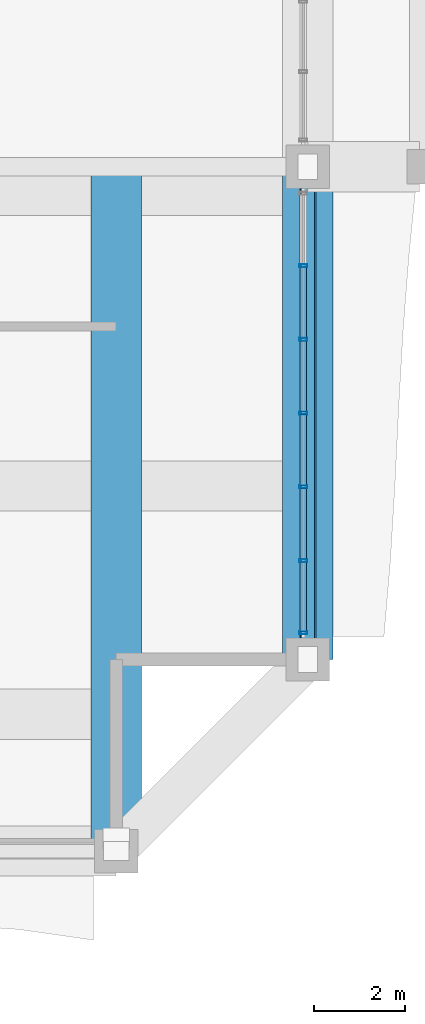
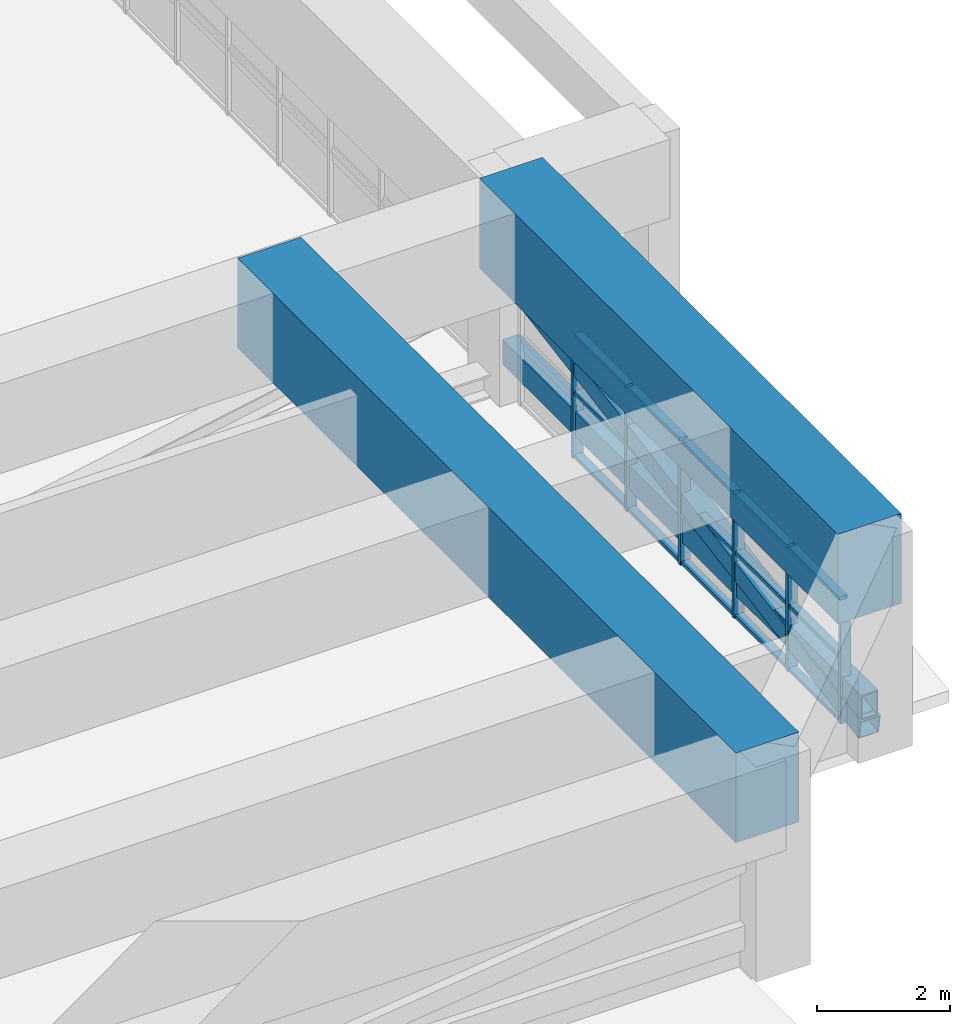
# One storey, part 13 of 35: 23 members, 2 beams, 1 element without a shape of its own.
"""IFC4 building model written with IfcOpenShell, lengths in metres."""

from ifc_helpers import new_model, si_unit, direction, frame, origin, origin_2d, place, context, subcontext, project, spatial, rectangle, hollow_rectangle, extrude, source, transform, mapped, material, layer, layer_set, material_profile, profile_set, type_object, element, aggregate, save


model = new_model("IFC4")

# Units and contexts
model_context = context("Model", 3, precision=1e-05, world=origin(), true_north=direction((0.0, 1.0)))
body_context = subcontext(model_context, "Body", "Model", "MODEL_VIEW")
ifc_project = project(units=[si_unit("LENGTHUNIT", "METRE"), si_unit("AREAUNIT", "SQUARE_METRE"), si_unit("VOLUMEUNIT", "CUBIC_METRE"), si_unit("PLANEANGLEUNIT", "RADIAN"), si_unit("MASSUNIT", "GRAM", prefix="KILO")], contexts=[model_context])

# Site, building, storey
site_placement = place(None, origin())
site = spatial("IfcSite", under=ifc_project, at=site_placement, CompositionType="ELEMENT")
building_placement = place(site_placement, origin())
building = spatial("IfcBuilding", under=site, at=building_placement, Name="Saelheon Loggia Tower", CompositionType="ELEMENT")
storey_placement = place(building_placement, frame((0.0, 0.0, 144.75)))
storey = spatial("IfcBuildingStorey", under=building, at=storey_placement, Name="L46", CompositionType="ELEMENT", Elevation=144.75)

# Beams
ifc_material_1 = material(Name="Concrete C50/60", Category="concrete")
ifc_material_profile_1 = material_profile(ifc_material_1, rectangle(XDim=1.10009765625, YDim=1.64990234375, at=origin_2d()), Name="RC-1100x1650")
ifc_profile_set_1 = profile_set([ifc_material_profile_1], Name="Concrete C50/60")
beam_type_1 = type_object("IfcBeamType", Name="Beam_PerimMega_RC1100x1650", PredefinedType="BEAM", material=ifc_profile_set_1)
shared_shape_1 = source(origin(), body_context, "Body", "SweptSolid", [
    extrude(rectangle(XDim=1.10009765625, YDim=1.64990234375, at=origin_2d()), origin(), (0.0, 0.0, 1.0), 10.800048828125),
])
beam_1_placement = place(storey_placement, frame((64.0, 7.199951171875, 3.125), z_axis=(0.0, 1.0, 0.0), x_axis=(-1.0, 0.0, 0.0)))
element("IfcBeam", 1, at=beam_1_placement, inside=storey, type_object=beam_type_1, Name="L46 Perimeter Frame Girder 05", PredefinedType="BEAM", context=body_context, shape_type="MappedRepresentation", body=[
    mapped(shared_shape_1, transform((0.0, 0.0, 0.0), scale=1.0)),
])
ifc_material_profile_2 = material_profile(ifc_material_1, rectangle(XDim=1.10009765625, YDim=1.64990234375, at=origin_2d()), Name="RC-1100x1650")
ifc_profile_set_2 = profile_set([ifc_material_profile_2], Name="Concrete C50/60")
beam_type_2 = type_object("IfcBeamType", Name="Beam_MegaTransfer_RC1100x1650", PredefinedType="BEAM", material=ifc_profile_set_2)
shared_shape_2 = source(origin(), body_context, "Body", "SweptSolid", [
    extrude(rectangle(XDim=1.10009765625, YDim=1.64990234375, at=origin_2d()), origin(), (0.0, 0.0, 1.0), 15.0),
])
beam_2_placement = place(storey_placement, frame((59.800048828125, 3.0, 3.125), z_axis=(0.0, 1.0, 0.0), x_axis=(-1.0, 0.0, 0.0)))
element("IfcBeam", 2, at=beam_2_placement, inside=storey, type_object=beam_type_2, Name="TG-L46-NL-SE", PredefinedType="BEAM", context=body_context, shape_type="MappedRepresentation", body=[
    mapped(shared_shape_2, transform((0.0, 0.0, 0.0), scale=1.0)),
])

# Members
ifc_material_2 = material(Name="Steel SM355", Category="steel")
ifc_material_profile_3 = material_profile(ifc_material_2, hollow_rectangle(XDim=0.300048828125, YDim=0.449951171875, WallThickness=0.02001953125, at=origin_2d()), Name="RHS-450x300x20")
ifc_profile_set_3 = profile_set([ifc_material_profile_3], Name="Steel SM355")
member_type_1 = type_object("IfcMemberType", Name="Belt_Chord_RHS450", PredefinedType="CHORD", material=ifc_profile_set_3)
shared_shape_3 = source(origin(), body_context, "Body", "SweptSolid", [
    extrude(hollow_rectangle(XDim=0.300048828125, YDim=0.449951171875, WallThickness=0.02001953125, at=origin_2d()), origin(), (0.0, 0.0, 1.0), 10.800048828125),
])
member_1_placement = place(storey_placement, frame((64.0, 7.199951171875, 0.6201171875), z_axis=(0.0, 1.0, 0.0), x_axis=(-1.0, 0.0, 0.0)))
element("IfcMember", 3, at=member_1_placement, inside=storey, type_object=member_type_1, Name="L46 Belt Truss Chord BE1", PredefinedType="CHORD", context=body_context, shape_type="MappedRepresentation", body=[
    mapped(shared_shape_3, transform((0.0, 0.0, 0.0), scale=1.0)),
])
ifc_material_profile_4 = material_profile(ifc_material_2, hollow_rectangle(XDim=0.35009765625, YDim=0.35009765625, WallThickness=0.01611328125, at=origin_2d()), Name="RHS-350x350x16")
ifc_profile_set_4 = profile_set([ifc_material_profile_4], Name="Steel SM355")
member_type_2 = type_object("IfcMemberType", Name="Belt_Brace_RHS350", PredefinedType="BRACE", material=ifc_profile_set_4)
shared_shape_4 = source(origin(), body_context, "Body", "SweptSolid", [
    extrude(hollow_rectangle(XDim=0.35009765625, YDim=0.35009765625, WallThickness=0.01611328125, at=origin_2d()), origin(), (0.0, 0.0, 1.0), 10.957275390625),
])
member_2_placement = place(storey_placement, frame((64.0, 7.199951171875, 0.219970703125), z_axis=(0.0, 0.985642602665, 0.168845076361), x_axis=(-1.0, 0.0, 0.0)))
element("IfcMember", 4, at=member_2_placement, inside=storey, type_object=member_type_2, Name="L46 Belt Truss Brace BE1", PredefinedType="BRACE", context=body_context, shape_type="MappedRepresentation", body=[
    mapped(shared_shape_4, transform((0.0, 0.0, 0.0), scale=1.0)),
])

# Curtain wall, members
ifc_material_3 = material(Name="Anodised Aluminium Acoustic Louvre Curtain Wall", Category="aluminium")
ifc_layer = layer(ifc_material_3, 0.179931640625)
ifc_layer_set = layer_set([ifc_layer], Name="Anodised Aluminium Acoustic Louvre Curtain Wall")
curtain_wall_type = type_object("IfcCurtainWallType", Name="CW_RefugeAcoustic", PredefinedType="NOTDEFINED", material=ifc_layer_set)
curtain_wall_placement = place(storey_placement, origin())
curtain_wall = element("IfcCurtainWall", 5, at=curtain_wall_placement, inside=storey, type_object=curtain_wall_type, Name="L46 E Refuge Acoustic Curtain Wall 1", PredefinedType="NOTDEFINED")
ifc_material_4 = material(Name="Anodised Aluminium 6063-T6", Category="aluminium")
ifc_material_profile_5 = material_profile(ifc_material_4, hollow_rectangle(XDim=0.06494140625, YDim=0.179931640625, WallThickness=0.00390625, at=origin_2d()), Name="RHS-180x65x4")
ifc_profile_set_5 = profile_set([ifc_material_profile_5], Name="Anodised Aluminium 6063-T6")
member_type_3 = type_object("IfcMemberType", Name="CW_RefugeAcoustic_Mullion", PredefinedType="MULLION", material=ifc_profile_set_5)
shared_shape_5 = source(origin(), body_context, "Body", "SweptSolid", [
    extrude(hollow_rectangle(XDim=0.06494140625, YDim=0.179931640625, WallThickness=0.00390625, at=origin_2d()), origin(), (0.0, 0.0, 1.0), 2.2900390625),
])
member_3_placement = place(storey_placement, frame((63.89990234375, 7.782470703125, 0.0), z_axis=(0.0, 0.0, 1.0), x_axis=(0.0, 1.0, 0.0)))
member_3 = element("IfcMember", 6, at=member_3_placement, type_object=member_type_3, Name="CW5 mullion 1", PredefinedType="MULLION", context=body_context, shape_type="MappedRepresentation", body=[
    mapped(shared_shape_5, transform((0.0, 0.0, 0.0), scale=1.0)),
])
member_4_placement = place(storey_placement, frame((63.89990234375, 9.36669921875, 0.0), z_axis=(0.0, 0.0, 1.0), x_axis=(0.0, 1.0, 0.0)))
member_4 = element("IfcMember", 7, at=member_4_placement, type_object=member_type_3, Name="CW5 mullion 2", PredefinedType="MULLION", context=body_context, shape_type="MappedRepresentation", body=[
    mapped(shared_shape_5, transform((0.0, 0.0, 0.0), scale=1.0)),
])
member_5_placement = place(storey_placement, frame((63.89990234375, 10.9833984375, 0.0), z_axis=(0.0, 0.0, 1.0), x_axis=(0.0, 1.0, 0.0)))
member_5 = element("IfcMember", 8, at=member_5_placement, type_object=member_type_3, Name="CW5 mullion 3", PredefinedType="MULLION", context=body_context, shape_type="MappedRepresentation", body=[
    mapped(shared_shape_5, transform((0.0, 0.0, 0.0), scale=1.0)),
])
member_6_placement = place(storey_placement, frame((63.89990234375, 12.60009765625, 0.0), z_axis=(0.0, 0.0, 1.0), x_axis=(0.0, 1.0, 0.0)))
member_6 = element("IfcMember", 9, at=member_6_placement, type_object=member_type_3, Name="CW5 mullion 4", PredefinedType="MULLION", context=body_context, shape_type="MappedRepresentation", body=[
    mapped(shared_shape_5, transform((0.0, 0.0, 0.0), scale=1.0)),
])
member_7_placement = place(storey_placement, frame((63.89990234375, 14.216552734375, 0.0), z_axis=(0.0, 0.0, 1.0), x_axis=(0.0, 1.0, 0.0)))
member_7 = element("IfcMember", 10, at=member_7_placement, type_object=member_type_3, Name="CW5 mullion 5", PredefinedType="MULLION", context=body_context, shape_type="MappedRepresentation", body=[
    mapped(shared_shape_5, transform((0.0, 0.0, 0.0), scale=1.0)),
])
member_8_placement = place(storey_placement, frame((63.89990234375, 15.833251953125, 0.0), z_axis=(0.0, 0.0, 1.0), x_axis=(0.0, 1.0, 0.0)))
member_8 = element("IfcMember", 11, at=member_8_placement, type_object=member_type_3, Name="CW5 mullion 6", PredefinedType="MULLION", context=body_context, shape_type="MappedRepresentation", body=[
    mapped(shared_shape_5, transform((0.0, 0.0, 0.0), scale=1.0)),
])
ifc_material_profile_6 = material_profile(ifc_material_4, hollow_rectangle(XDim=0.06494140625, YDim=0.139892578125, WallThickness=0.00390625, at=origin_2d()), Name="RHS-140x65x4")
ifc_profile_set_6 = profile_set([ifc_material_profile_6], Name="Anodised Aluminium 6063-T6")
member_type_4 = type_object("IfcMemberType", Name="CW_RefugeAcoustic_Transom", PredefinedType="USERDEFINED", material=ifc_profile_set_6)
shared_shape_6 = source(origin(), body_context, "Body", "SweptSolid", [
    extrude(hollow_rectangle(XDim=0.06494140625, YDim=0.139892578125, WallThickness=0.00390625, at=origin_2d()), origin(), (0.0, 0.0, 1.0), 1.519287109375),
])
member_9_placement = place(storey_placement, frame((63.89990234375, 7.81494140625, 0.032470703125), z_axis=(0.0, 1.0, 0.0), x_axis=(0.0, 0.0, 1.0)))
member_9 = element("IfcMember", 12, at=member_9_placement, type_object=member_type_4, Name="CW5 transom 1.1", ObjectType="TRANSOM", PredefinedType="USERDEFINED", context=body_context, shape_type="MappedRepresentation", body=[
    mapped(shared_shape_6, transform((0.0, 0.0, 0.0), scale=1.0)),
])
member_10_placement = place(storey_placement, frame((63.89990234375, 7.81494140625, 1.199951171875), z_axis=(0.0, 1.0, 0.0), x_axis=(0.0, 0.0, 1.0)))
member_10 = element("IfcMember", 13, at=member_10_placement, type_object=member_type_4, Name="CW5 transom 1.2", ObjectType="TRANSOM", PredefinedType="USERDEFINED", context=body_context, shape_type="MappedRepresentation", body=[
    mapped(shared_shape_6, transform((0.0, 0.0, 0.0), scale=1.0)),
])
member_11_placement = place(storey_placement, frame((63.89990234375, 7.81494140625, 2.257568359375), z_axis=(0.0, 1.0, 0.0), x_axis=(0.0, 0.0, 1.0)))
member_11 = element("IfcMember", 14, at=member_11_placement, type_object=member_type_4, Name="CW5 transom 1.3", ObjectType="TRANSOM", PredefinedType="USERDEFINED", context=body_context, shape_type="MappedRepresentation", body=[
    mapped(shared_shape_6, transform((0.0, 0.0, 0.0), scale=1.0)),
])
shared_shape_7 = source(origin(), body_context, "Body", "SweptSolid", [
    extrude(hollow_rectangle(XDim=0.06494140625, YDim=0.139892578125, WallThickness=0.00390625, at=origin_2d()), origin(), (0.0, 0.0, 1.0), 1.5517578125),
])
member_12_placement = place(storey_placement, frame((63.89990234375, 9.399169921875, 0.032470703125), z_axis=(0.0, 1.0, 0.0), x_axis=(0.0, 0.0, 1.0)))
member_12 = element("IfcMember", 15, at=member_12_placement, type_object=member_type_4, Name="CW5 transom 2.1", ObjectType="TRANSOM", PredefinedType="USERDEFINED", context=body_context, shape_type="MappedRepresentation", body=[
    mapped(shared_shape_7, transform((0.0, 0.0, 0.0), scale=1.0)),
])
member_13_placement = place(storey_placement, frame((63.89990234375, 9.399169921875, 1.199951171875), z_axis=(0.0, 1.0, 0.0), x_axis=(0.0, 0.0, 1.0)))
member_13 = element("IfcMember", 16, at=member_13_placement, type_object=member_type_4, Name="CW5 transom 2.2", ObjectType="TRANSOM", PredefinedType="USERDEFINED", context=body_context, shape_type="MappedRepresentation", body=[
    mapped(shared_shape_7, transform((0.0, 0.0, 0.0), scale=1.0)),
])
member_14_placement = place(storey_placement, frame((63.89990234375, 9.399169921875, 2.257568359375), z_axis=(0.0, 1.0, 0.0), x_axis=(0.0, 0.0, 1.0)))
member_14 = element("IfcMember", 17, at=member_14_placement, type_object=member_type_4, Name="CW5 transom 2.3", ObjectType="TRANSOM", PredefinedType="USERDEFINED", context=body_context, shape_type="MappedRepresentation", body=[
    mapped(shared_shape_7, transform((0.0, 0.0, 0.0), scale=1.0)),
])
shared_shape_8 = source(origin(), body_context, "Body", "SweptSolid", [
    extrude(hollow_rectangle(XDim=0.06494140625, YDim=0.139892578125, WallThickness=0.00390625, at=origin_2d()), origin(), (0.0, 0.0, 1.0), 1.551513671875),
])
member_15_placement = place(storey_placement, frame((63.89990234375, 11.015869140625, 0.032470703125), z_axis=(0.0, 1.0, 0.0), x_axis=(0.0, 0.0, 1.0)))
member_15 = element("IfcMember", 18, at=member_15_placement, type_object=member_type_4, Name="CW5 transom 3.1", ObjectType="TRANSOM", PredefinedType="USERDEFINED", context=body_context, shape_type="MappedRepresentation", body=[
    mapped(shared_shape_8, transform((0.0, 0.0, 0.0), scale=1.0)),
])
member_16_placement = place(storey_placement, frame((63.89990234375, 11.015869140625, 1.199951171875), z_axis=(0.0, 1.0, 0.0), x_axis=(0.0, 0.0, 1.0)))
member_16 = element("IfcMember", 19, at=member_16_placement, type_object=member_type_4, Name="CW5 transom 3.2", ObjectType="TRANSOM", PredefinedType="USERDEFINED", context=body_context, shape_type="MappedRepresentation", body=[
    mapped(shared_shape_8, transform((0.0, 0.0, 0.0), scale=1.0)),
])
member_17_placement = place(storey_placement, frame((63.89990234375, 11.015869140625, 2.257568359375), z_axis=(0.0, 1.0, 0.0), x_axis=(0.0, 0.0, 1.0)))
member_17 = element("IfcMember", 20, at=member_17_placement, type_object=member_type_4, Name="CW5 transom 3.3", ObjectType="TRANSOM", PredefinedType="USERDEFINED", context=body_context, shape_type="MappedRepresentation", body=[
    mapped(shared_shape_8, transform((0.0, 0.0, 0.0), scale=1.0)),
])
member_18_placement = place(storey_placement, frame((63.89990234375, 12.632568359375, 0.032470703125), z_axis=(0.0, 1.0, 0.0), x_axis=(0.0, 0.0, 1.0)))
member_18 = element("IfcMember", 21, at=member_18_placement, type_object=member_type_4, Name="CW5 transom 4.1", ObjectType="TRANSOM", PredefinedType="USERDEFINED", context=body_context, shape_type="MappedRepresentation", body=[
    mapped(shared_shape_8, transform((0.0, 0.0, 0.0), scale=1.0)),
])
member_19_placement = place(storey_placement, frame((63.89990234375, 12.632568359375, 1.199951171875), z_axis=(0.0, 1.0, 0.0), x_axis=(0.0, 0.0, 1.0)))
member_19 = element("IfcMember", 22, at=member_19_placement, type_object=member_type_4, Name="CW5 transom 4.2", ObjectType="TRANSOM", PredefinedType="USERDEFINED", context=body_context, shape_type="MappedRepresentation", body=[
    mapped(shared_shape_8, transform((0.0, 0.0, 0.0), scale=1.0)),
])
member_20_placement = place(storey_placement, frame((63.89990234375, 12.632568359375, 2.257568359375), z_axis=(0.0, 1.0, 0.0), x_axis=(0.0, 0.0, 1.0)))
member_20 = element("IfcMember", 23, at=member_20_placement, type_object=member_type_4, Name="CW5 transom 4.3", ObjectType="TRANSOM", PredefinedType="USERDEFINED", context=body_context, shape_type="MappedRepresentation", body=[
    mapped(shared_shape_8, transform((0.0, 0.0, 0.0), scale=1.0)),
])
member_21_placement = place(storey_placement, frame((63.89990234375, 14.249267578125, 0.032470703125), z_axis=(0.0, 1.0, 0.0), x_axis=(0.0, 0.0, 1.0)))
member_21 = element("IfcMember", 24, at=member_21_placement, type_object=member_type_4, Name="CW5 transom 5.1", ObjectType="TRANSOM", PredefinedType="USERDEFINED", context=body_context, shape_type="MappedRepresentation", body=[
    mapped(shared_shape_8, transform((0.0, 0.0, 0.0), scale=1.0)),
])
member_22_placement = place(storey_placement, frame((63.89990234375, 14.249267578125, 1.199951171875), z_axis=(0.0, 1.0, 0.0), x_axis=(0.0, 0.0, 1.0)))
member_22 = element("IfcMember", 25, at=member_22_placement, type_object=member_type_4, Name="CW5 transom 5.2", ObjectType="TRANSOM", PredefinedType="USERDEFINED", context=body_context, shape_type="MappedRepresentation", body=[
    mapped(shared_shape_8, transform((0.0, 0.0, 0.0), scale=1.0)),
])
member_23_placement = place(storey_placement, frame((63.89990234375, 14.249267578125, 2.257568359375), z_axis=(0.0, 1.0, 0.0), x_axis=(0.0, 0.0, 1.0)))
member_23 = element("IfcMember", 26, at=member_23_placement, type_object=member_type_4, Name="CW5 transom 5.3", ObjectType="TRANSOM", PredefinedType="USERDEFINED", context=body_context, shape_type="MappedRepresentation", body=[
    mapped(shared_shape_8, transform((0.0, 0.0, 0.0), scale=1.0)),
])
aggregate(curtain_wall, [member_3, member_4, member_5, member_6, member_7, member_8, member_9, member_10, member_11, member_12, member_13, member_14, member_15, member_16, member_17, member_18, member_19, member_20, member_21, member_22, member_23])

save(model, "model.ifc")
